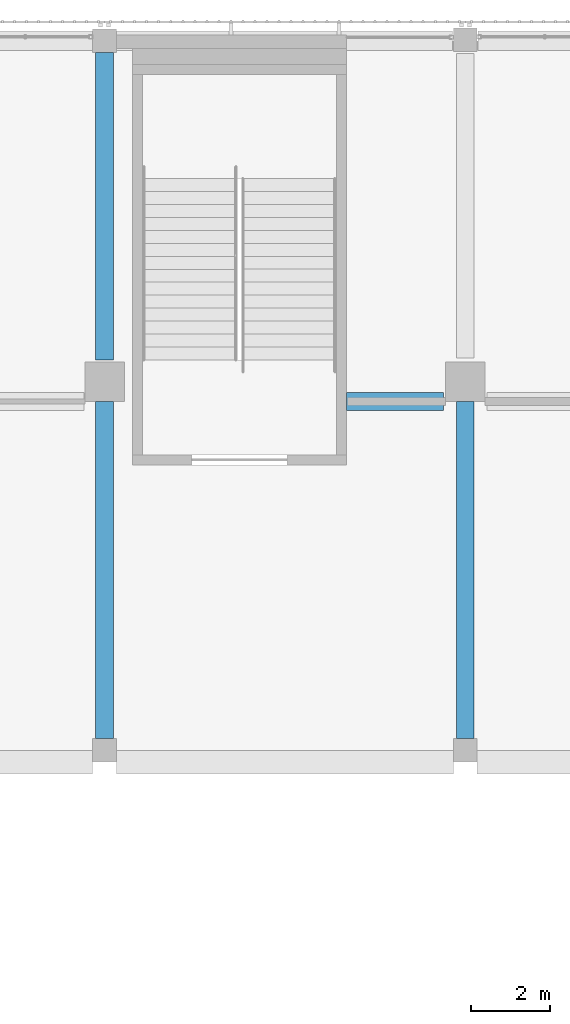
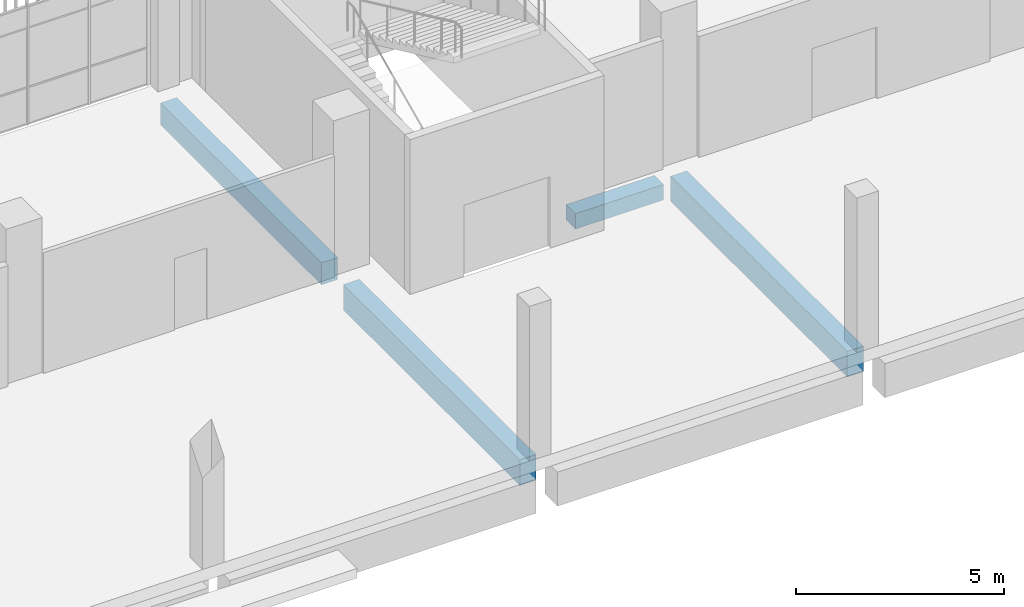
# One storey, part 38 of 126: 4 beams.
"""IFC4 building model written with IfcOpenShell, lengths in metres."""

from ifc_helpers import new_model, si_unit, direction, frame, origin, origin_2d, place, context, subcontext, project, spatial, rectangle, extrude, material, material_profile, profile_set, type_object, element, save


model = new_model("IFC4")

# Units and contexts
model_context = context("Model", 3, precision=1e-05, world=origin(), true_north=direction((0.0, 1.0)))
body_context = subcontext(model_context, "Body", "Model", "MODEL_VIEW")
ifc_project = project(units=[si_unit("LENGTHUNIT", "METRE"), si_unit("AREAUNIT", "SQUARE_METRE"), si_unit("VOLUMEUNIT", "CUBIC_METRE"), si_unit("PLANEANGLEUNIT", "RADIAN"), si_unit("MASSUNIT", "GRAM", prefix="KILO")], contexts=[model_context])

# Site, building, storey
site_placement = place(None, origin())
site = spatial("IfcSite", under=ifc_project, at=site_placement, CompositionType="ELEMENT")
building_placement = place(site_placement, origin())
building = spatial("IfcBuilding", under=site, at=building_placement, Name="Shirokan Park Arena", CompositionType="ELEMENT")
storey_placement = place(building_placement, frame((0.0, 0.0, 6.3701171875)))
storey = spatial("IfcBuildingStorey", under=building, at=storey_placement, Name="L01", CompositionType="ELEMENT", Elevation=6.3701171875)

# Beams
ifc_material = material(Name="Concrete C35", Category="concrete")
ifc_material_profile_1 = material_profile(ifc_material, rectangle(XDim=0.449951171875, YDim=0.64990234375, at=origin_2d()), Name="450x650")
ifc_profile_set_1 = profile_set([ifc_material_profile_1], Name="Concrete C35")
beam_type_1 = type_object("IfcBeamType", Name="RC girder 450x650", PredefinedType="BEAM", material=ifc_profile_set_1)
beam_1_placement = place(storey_placement, frame((81.89990234375, 101.150146484375, -0.675048828125), z_axis=(0.0, 1.0, 0.0), x_axis=(-1.0, 0.0, 0.0)))
element("IfcBeam", 1, at=beam_1_placement, inside=storey, type_object=beam_type_1, Name="Girder 10M-10N L01", PredefinedType="BEAM", context=body_context, shape_type="SweptSolid", body=[
    extrude(rectangle(XDim=0.449951171875, YDim=0.64990234375, at=origin_2d()), origin(), (0.0, 0.0, 1.0), 7.749755859375),
])
ifc_material_profile_2 = material_profile(ifc_material, rectangle(XDim=0.449951171875, YDim=0.75, at=origin_2d()), Name="450x750")
ifc_profile_set_2 = profile_set([ifc_material_profile_2], Name="Concrete C35")
beam_type_2 = type_object("IfcBeamType", Name="RC girder 450x750", PredefinedType="BEAM", material=ifc_profile_set_2)
for number, where, z_axis, x_axis, name in (
    (2, (81.89990234375, 91.60009765625, -0.72509765625), (0.0, 1.0, 0.0), (-1.0, 0.0, 0.0), "Girder 10L-10M L01"),
    (3, (91.0, 91.60009765625, -0.72509765625), (0.0, 1.0, 0.0), (-1.0, 0.0, 0.0), "Girder 11L-11M L01"),
):
    element("IfcBeam", number, at=place(storey_placement, frame(where, z_axis=z_axis, x_axis=x_axis)), inside=storey, type_object=beam_type_2, Name=name, PredefinedType="BEAM", context=body_context, shape_type="SweptSolid", body=[
        extrude(rectangle(XDim=0.449951171875, YDim=0.75, at=origin_2d()), origin(), (0.0, 0.0, 1.0), 8.499755859375),
    ])
ifc_material_profile_3 = material_profile(ifc_material, rectangle(XDim=0.449951171875, YDim=0.449951171875, at=origin_2d()), Name="450x450")
ifc_profile_set_3 = profile_set([ifc_material_profile_3], Name="Concrete C35")
beam_type_3 = type_object("IfcBeamType", Name="RC trimmer 450x450", PredefinedType="BEAM", material=ifc_profile_set_3)
beam_2_placement = place(storey_placement, frame((88.0, 100.10009765625, -0.5751953125), z_axis=(1.0, 0.0, 0.0), x_axis=(0.0, 1.0, 0.0)))
element("IfcBeam", 4, at=beam_2_placement, inside=storey, type_object=beam_type_3, Name="Girder 10M-11M L01", PredefinedType="BEAM", context=body_context, shape_type="SweptSolid", body=[
    extrude(rectangle(XDim=0.449951171875, YDim=0.449951171875, at=origin_2d()), origin(), (0.0, 0.0, 1.0), 2.449951171875),
])

save(model, "model.ifc")
